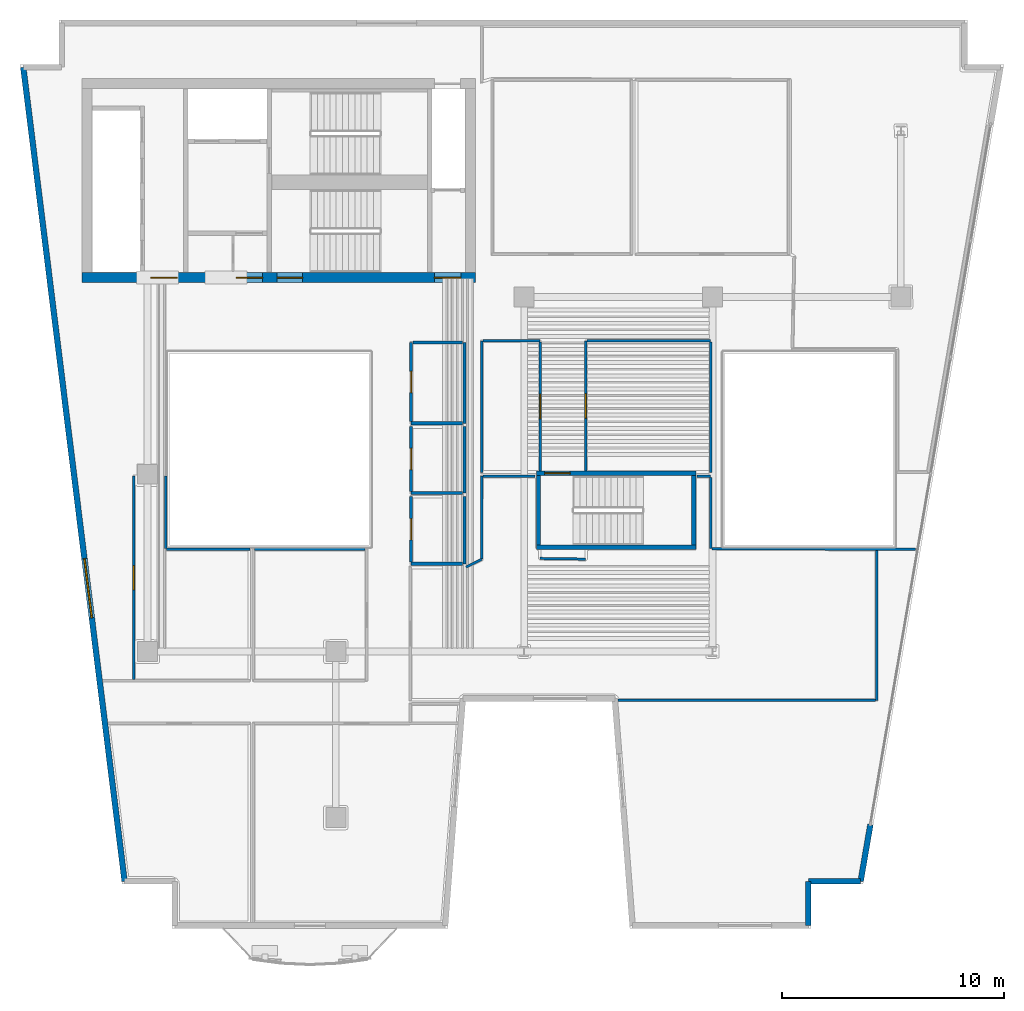
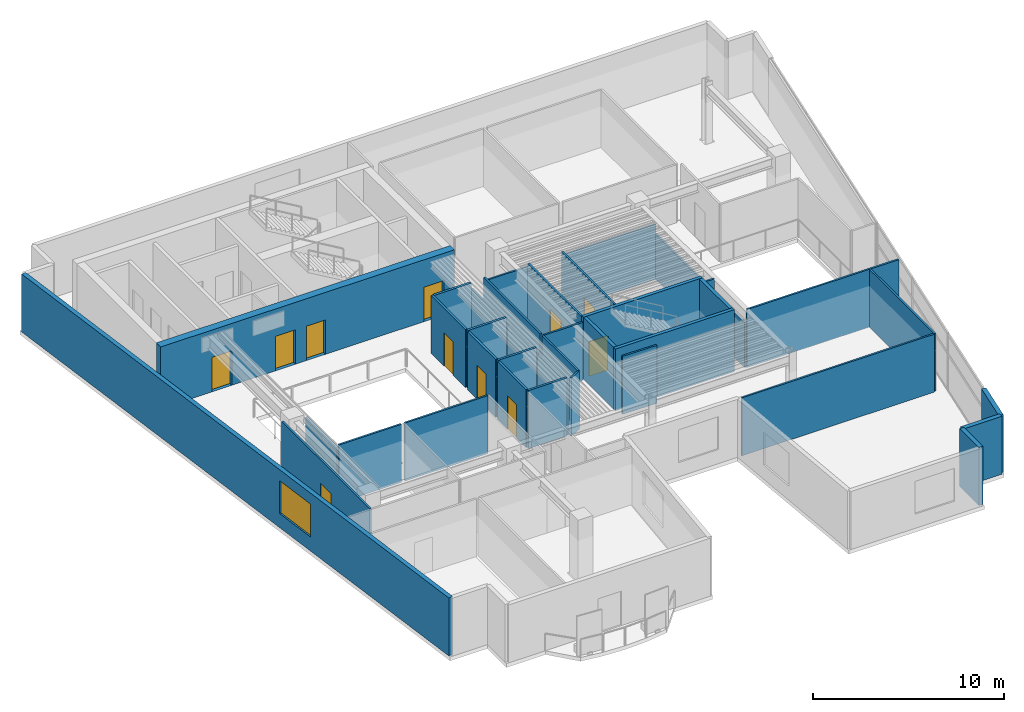
# One storey, part 4 of 9: 38 walls, 11 doors, 1 window, 12 openings.
"""IFC4 building model written with IfcOpenShell, lengths in metres."""

from ifc_helpers import new_model, si_unit, direction, frame, frame_2d, origin, place, context, subcontext, project, spatial, rectangle, extrude, material, layer, layer_set, type_object, element, fill, save


model = new_model("IFC4")

# Units and contexts
model_context = context("Model", 3, precision=1e-05, world=origin(), true_north=direction((0.0, 1.0)))
body_context = subcontext(model_context, "Body", "Model", "MODEL_VIEW")
ifc_project = project(units=[si_unit("LENGTHUNIT", "METRE"), si_unit("AREAUNIT", "SQUARE_METRE"), si_unit("VOLUMEUNIT", "CUBIC_METRE"), si_unit("PLANEANGLEUNIT", "RADIAN"), si_unit("MASSUNIT", "GRAM", prefix="KILO")], contexts=[model_context])

# Site, building, storey
site_placement = place(None, origin())
site = spatial("IfcSite", under=ifc_project, at=site_placement, CompositionType="ELEMENT")
building_placement = place(site_placement, origin())
building = spatial("IfcBuilding", under=site, at=building_placement, Name="Caeloran Harvest Quay", CompositionType="ELEMENT")
storey_placement = place(building_placement, frame((0.0, 0.0, 203.5)))
storey = spatial("IfcBuildingStorey", under=building, at=storey_placement, Name="L48", CompositionType="ELEMENT", Elevation=203.5)

# Wall, opening, window
ifc_material_1 = material(Name="Precast concrete C50/60", Category="concrete")
ifc_layer_1 = layer(ifc_material_1, 0.260009765625, Name="Precast concrete C50/60")
ifc_layer_set_1 = layer_set([ifc_layer_1], Name="Precast concrete C50/60")
wall_type_1 = type_object("IfcWallType", Name="ENV-WALL-EW-260", PredefinedType="STANDARD", material=ifc_layer_set_1)
wall_1_placement = place(storey_placement, frame((7.468994140625, 4.6298828125, 0.0), z_axis=(0.0, 0.0, 1.0), x_axis=(-0.123515300309, 0.992342667928, 0.0)))
wall_1 = element("IfcWall", 1, at=wall_1_placement, inside=storey, type_object=wall_type_1, Name="L48 Exterior Precast Concrete Facade Wall 3", PredefinedType="STANDARD", context=body_context, shape_type="SweptSolid", body=[
    extrude(rectangle(XDim=37.023681640625, YDim=0.260009765625, at=frame_2d((18.51171875, 0.0))), origin(), (0.0, 0.0, 1.0), 3.699951171875),
])
opening_1_placement = place(wall_1_placement, frame((11.97802734375, 0.0, 0.89990234375)))
opening_1 = element("IfcOpeningElement", 2, at=opening_1_placement, cuts=wall_1, Name="Opening W-07", PredefinedType="OPENING", context=body_context, shape_type="SweptSolid", body=[
    extrude(rectangle(XDim=2.699951171875, YDim=2.10009765625, at=frame_2d((1.35009765625, 1.050048828125))), frame((0.0, 0.14013671875, 0.0), z_axis=(0.0, -1.0, 0.0), x_axis=(1.0, 0.0, 0.0)), (0.0, 0.0, 1.0), 0.280029296875),
])
ifc_material_2 = material(Name="Aluminium-Framed Low-E Laminated Glass", Category="aluminium")
window_type = type_object("IfcWindowType", Name="WIN-W-07", PartitioningType="DOUBLE_PANEL_VERTICAL", PredefinedType="WINDOW", material=ifc_material_2)
window_placement = place(opening_1_placement, origin())
window = element("IfcWindow", 3, at=window_placement, inside=storey, type_object=window_type, Name="L48 Facade Punched Window W-07", OverallHeight=2.10009765625, OverallWidth=2.699951171875, PartitioningType="DOUBLE_PANEL_VERTICAL", PredefinedType="WINDOW", context=body_context, shape_type="SweptSolid", body=[
    extrude(rectangle(XDim=2.699951171875, YDim=2.10009765625, at=frame_2d((1.35009765625, 1.050048828125))), frame((0.0, 0.030029296875, 0.0), z_axis=(0.0, -1.0, 0.0), x_axis=(1.0, 0.0, 0.0)), (0.0, 0.0, 1.0), 0.06005859375),
])
fill(opening_1, window)

# Walls
wall_2_placement = place(storey_placement, frame((41.127685546875, 7.1923828125, 0.0), z_axis=(0.0, 0.0, 1.0), x_axis=(-0.169391215599, -0.98554889076, 0.0)))
element("IfcWall", 4, at=wall_2_placement, inside=storey, type_object=wall_type_1, Name="L48 Exterior Facade Corner Pier Wall 9B", PredefinedType="STANDARD", context=body_context, shape_type="SweptSolid", body=[
    extrude(rectangle(XDim=2.60009765625, YDim=0.260009765625, at=frame_2d((1.300048828125, 0.0))), origin(), (0.0, 0.0, 1.0), 3.699951171875),
])
wall_3_placement = place(storey_placement, frame((40.687255859375, 4.6298828125, 0.0), z_axis=(0.0, 0.0, 1.0), x_axis=(-1.0, 0.0, 0.0)))
element("IfcWall", 5, at=wall_3_placement, inside=storey, type_object=wall_type_1, Name="L48 Exterior Precast Concrete Facade Wall 10", PredefinedType="STANDARD", context=body_context, shape_type="SweptSolid", body=[
    extrude(rectangle(XDim=2.3642578125, YDim=0.260009765625, at=frame_2d((1.18212890625, 0.0))), origin(), (0.0, 0.0, 1.0), 3.699951171875),
])
wall_4_placement = place(storey_placement, frame((38.322998046875, 4.6298828125, 0.0), z_axis=(0.0, 0.0, 1.0), x_axis=(0.0, -1.0, 0.0)))
element("IfcWall", 6, at=wall_4_placement, inside=storey, type_object=wall_type_1, Name="L48 Exterior Precast Concrete Facade Wall 11", PredefinedType="STANDARD", context=body_context, shape_type="SweptSolid", body=[
    extrude(rectangle(XDim=2.0, YDim=0.260009765625, at=frame_2d((1.0, 0.0))), origin(), (0.0, 0.0, 1.0), 3.699951171875),
])
ifc_material_3 = material(Name="Single-Stud Acoustic Gypsum Office Partition", Category="gypsum")
ifc_layer_2 = layer(ifc_material_3, 0.112060546875, Name="Single-Stud Acoustic Gypsum Office Partition")
ifc_layer_set_2 = layer_set([ifc_layer_2], Name="Single-Stud Acoustic Gypsum Office Partition")
wall_type_2 = type_object("IfcWallType", Name="INT-WALL-PW-112", PredefinedType="PARTITIONING", material=ifc_layer_set_2)
wall_5_placement = place(storey_placement, frame((33.310791015625, 22.919921875, 0.0), z_axis=(0.0, 0.0, 1.0), x_axis=(1.0, 0.0, 0.0)))
element("IfcWall", 7, at=wall_5_placement, inside=storey, type_object=wall_type_2, Name="Corporate Legal Counsel Office Partition Wall", PredefinedType="PARTITIONING", context=body_context, shape_type="SweptSolid", body=[
    extrude(rectangle(XDim=0.609130859375, YDim=0.112060546875, at=frame_2d((0.3046875, 0.0))), origin(), (0.0, 0.0, 1.0), 3.699951171875),
])
wall_6_placement = place(storey_placement, frame((33.919921875, 22.85888671875, 0.0), z_axis=(0.0, 0.0, 1.0), x_axis=(0.0, -1.0, 0.0)))
element("IfcWall", 8, at=wall_6_placement, inside=storey, type_object=wall_type_2, Name="Corporate Legal Counsel Office Partition Wall", PredefinedType="PARTITIONING", context=body_context, shape_type="SweptSolid", body=[
    extrude(rectangle(XDim=3.218994140625, YDim=0.112060546875, at=frame_2d((1.609375, 0.0))), origin(), (0.0, 0.0, 1.0), 2.885009765625),
])
wall_7_placement = place(storey_placement, frame((33.98095703125, 19.639892578125, 0.0), z_axis=(0.0, 0.0, 1.0), x_axis=(0.999996388808, -0.002687447056, 0.0)))
element("IfcWall", 9, at=wall_7_placement, inside=storey, type_object=wall_type_2, Name="Corporate Legal Counsel Office Partition Wall", PredefinedType="PARTITIONING", context=body_context, shape_type="SweptSolid", body=[
    extrude(rectangle(XDim=9.17529296875, YDim=0.112060546875, at=frame_2d((4.587646484375, 0.0))), origin(), (0.0, 0.0, 1.0), 3.699951171875),
])
wall_8_placement = place(storey_placement, frame((41.419921875, 19.558837890625, 0.0), z_axis=(0.0, 0.0, 1.0), x_axis=(0.0, -1.0, 0.0)))
element("IfcWall", 10, at=wall_8_placement, inside=storey, type_object=wall_type_2, Name="Corporate Legal Counsel Office Partition Wall", PredefinedType="PARTITIONING", context=body_context, shape_type="SweptSolid", body=[
    extrude(rectangle(XDim=6.7587890625, YDim=0.112060546875, at=frame_2d((3.37939453125, 0.0))), origin(), (0.0, 0.0, 1.0), 3.699951171875),
])
wall_9_placement = place(storey_placement, frame((41.35888671875, 12.800048828125, 0.0), z_axis=(0.0, 0.0, 1.0), x_axis=(-1.0, 0.0, 0.0)))
element("IfcWall", 11, at=wall_9_placement, inside=storey, type_object=wall_type_2, Name="Corporate Legal Counsel Office Partition Wall", PredefinedType="PARTITIONING", context=body_context, shape_type="SweptSolid", body=[
    extrude(rectangle(XDim=11.62744140625, YDim=0.112060546875, at=frame_2d((5.813720703125, 0.0))), origin(), (0.0, 0.0, 1.0), 3.699951171875),
])
wall_10_placement = place(storey_placement, frame((22.883056640625, 18.81005859375, 0.0), z_axis=(0.0, 0.0, 1.0), x_axis=(0.893737436086, 0.448590453909, 0.0)))
element("IfcWall", 12, at=wall_10_placement, inside=storey, type_object=wall_type_2, Name="Corporate Legal Counsel Office Partition Wall", PredefinedType="PARTITIONING", context=body_context, shape_type="SweptSolid", body=[
    extrude(rectangle(XDim=0.77978515625, YDim=0.112060546875, at=frame_2d((0.389892578125, 0.0))), origin(), (0.0, 0.0, 1.0), 3.699951171875),
])
wall_11_placement = place(storey_placement, frame((23.580078125, 19.171142578125, 0.0), z_axis=(0.0, 0.0, 1.0), x_axis=(0.0, 1.0, 0.0)))
element("IfcWall", 13, at=wall_11_placement, inside=storey, type_object=wall_type_2, Name="Corporate Legal Counsel Office Partition Wall", PredefinedType="PARTITIONING", context=body_context, shape_type="SweptSolid", body=[
    extrude(rectangle(XDim=3.748779296875, YDim=0.112060546875, at=frame_2d((1.87451171875, 0.0))), origin(), (0.0, 0.0, 1.0), 3.699951171875),
])
wall_12_placement = place(storey_placement, frame((23.64111328125, 22.919921875, 0.0), z_axis=(0.0, 0.0, 1.0), x_axis=(1.0, 0.0, 0.0)))
element("IfcWall", 14, at=wall_12_placement, inside=storey, type_object=wall_type_2, Name="Corporate Legal Counsel Office Partition Wall", PredefinedType="PARTITIONING", context=body_context, shape_type="SweptSolid", body=[
    extrude(rectangle(XDim=2.347900390625, YDim=0.112060546875, at=frame_2d((1.173828125, 0.0))), origin(), (0.0, 0.0, 1.0), 3.699951171875),
])
wall_13_placement = place(storey_placement, frame((26.219970703125, 19.199951171875, 0.0), z_axis=(0.0, 0.0, 1.0), x_axis=(0.999893773718, -0.014575365509, 0.0)))
element("IfcWall", 15, at=wall_13_placement, inside=storey, type_object=wall_type_2, Name="Corporate Legal Counsel Office Partition Wall", PredefinedType="PARTITIONING", context=body_context, shape_type="SweptSolid", body=[
    extrude(rectangle(XDim=2.060302734375, YDim=0.112060546875, at=frame_2d((1.0302734375, 0.0))), origin(), (0.0, 0.0, 1.0), 3.699951171875),
])
wall_14_placement = place(storey_placement, frame((13.341064453125, 19.6201171875, 0.0), z_axis=(0.0, 0.0, 1.0), x_axis=(1.0, 0.0, 0.0)))
element("IfcWall", 16, at=wall_14_placement, inside=storey, type_object=wall_type_2, Name="Executive Partner Office Partition Wall", PredefinedType="PARTITIONING", context=body_context, shape_type="SweptSolid", body=[
    extrude(rectangle(XDim=4.988037109375, YDim=0.112060546875, at=frame_2d((2.494140625, 0.0))), origin(), (0.0, 0.0, 1.0), 3.699951171875),
])
wall_15_placement = place(storey_placement, frame((9.35009765625, 19.6201171875, 0.0), z_axis=(0.0, 0.0, 1.0), x_axis=(1.0, 0.0, 0.0)))
element("IfcWall", 17, at=wall_15_placement, inside=storey, type_object=wall_type_2, Name="Client Pitch Conference Room Partition Wall", PredefinedType="PARTITIONING", context=body_context, shape_type="SweptSolid", body=[
    extrude(rectangle(XDim=3.77001953125, YDim=0.112060546875, at=frame_2d((1.885009765625, 0.0))), origin(), (0.0, 0.0, 1.0), 3.699951171875),
])

# Wall, opening, door
wall_16_placement = place(storey_placement, frame((7.8798828125, 13.740966796875, 0.0), z_axis=(0.0, 0.0, 1.0), x_axis=(0.0, 1.0, 0.0)))
wall_16 = element("IfcWall", 18, at=wall_16_placement, inside=storey, type_object=wall_type_2, Name="Client Pitch Conference Room Partition Wall", PredefinedType="PARTITIONING", context=body_context, shape_type="SweptSolid", body=[
    extrude(rectangle(XDim=9.178955078125, YDim=0.112060546875, at=frame_2d((4.58935546875, 0.0))), origin(), (0.0, 0.0, 1.0), 3.699951171875),
])
opening_2_placement = place(wall_16_placement, frame((4.03955078125, 0.0, 0.0)))
opening_2 = element("IfcOpeningElement", 19, at=opening_2_placement, cuts=wall_16, Name="Opening ID-04", PredefinedType="OPENING", context=body_context, shape_type="SweptSolid", body=[
    extrude(rectangle(XDim=1.10009765625, YDim=2.199951171875, at=frame_2d((0.550048828125, 1.10009765625))), frame((0.0, 0.06591796875, 0.0), z_axis=(0.0, -1.0, 0.0), x_axis=(1.0, 0.0, 0.0)), (0.0, 0.0, 1.0), 0.132080078125),
])
ifc_material_4 = material(Name="Acoustic Walnut Veneer Executive Door", Category="wood")
door_type_1 = type_object("IfcDoorType", Name="INTDOOR-ID-04", OperationType="NOTDEFINED", PredefinedType="DOOR", material=ifc_material_4)
door_1_placement = place(opening_2_placement, origin())
door_1 = element("IfcDoor", 20, at=door_1_placement, inside=storey, type_object=door_type_1, Name="Client Pitch Conference Room Access Door", OperationType="SINGLE_SWING_RIGHT", OverallHeight=2.199951171875, OverallWidth=1.10009765625, PredefinedType="DOOR", context=body_context, shape_type="SweptSolid", body=[
    extrude(rectangle(XDim=1.10009765625, YDim=2.199951171875, at=frame_2d((0.550048828125, 1.10009765625))), frame((0.0, 0.02490234375, 0.0), z_axis=(0.0, -1.0, 0.0), x_axis=(1.0, 0.0, 0.0)), (0.0, 0.0, 1.0), 0.050048828125),
])
fill(opening_2, door_1)

# Walls
wall_17_placement = place(storey_placement, frame((9.320068359375, 22.919921875, 0.0), z_axis=(0.0, 0.0, 1.0), x_axis=(0.0, -1.0, 0.0)))
element("IfcWall", 21, at=wall_17_placement, inside=storey, type_object=wall_type_2, Name="Client Pitch Conference Room Partition Wall", PredefinedType="PARTITIONING", context=body_context, shape_type="SweptSolid", body=[
    extrude(rectangle(XDim=3.27001953125, YDim=0.112060546875, at=frame_2d((1.635009765625, 0.0))), origin(), (0.0, 0.0, 1.0), 3.485107421875),
])
wall_18_placement = place(storey_placement, frame((23.580078125, 23.080078125, 0.0), z_axis=(0.0, 0.0, 1.0), x_axis=(0.0, 1.0, 0.0)))
element("IfcWall", 22, at=wall_18_placement, inside=storey, type_object=wall_type_2, Name="Interview Meeting Room Partition Wall", PredefinedType="PARTITIONING", context=body_context, shape_type="SweptSolid", body=[
    extrude(rectangle(XDim=5.93994140625, YDim=0.112060546875, at=frame_2d((2.969970703125, 0.0))), origin(), (0.0, 0.0, 1.0), 3.699951171875),
])
wall_19_placement = place(storey_placement, frame((23.64111328125, 29.02001953125, 0.0), z_axis=(0.0, 0.0, 1.0), x_axis=(1.0, 0.0, 0.0)))
element("IfcWall", 23, at=wall_19_placement, inside=storey, type_object=wall_type_2, Name="Interview Meeting Room Partition Wall", PredefinedType="PARTITIONING", context=body_context, shape_type="SweptSolid", body=[
    extrude(rectangle(XDim=2.578857421875, YDim=0.112060546875, at=frame_2d((1.28955078125, 0.0))), origin(), (0.0, 0.0, 1.0), 3.485107421875),
])

# Wall, opening, door
wall_20_placement = place(storey_placement, frame((26.219970703125, 28.958984375, 0.0), z_axis=(0.0, 0.0, 1.0), x_axis=(0.0, -1.0, 0.0)))
wall_20 = element("IfcWall", 24, at=wall_20_placement, inside=storey, type_object=wall_type_2, Name="Interview Meeting Room Partition Wall", PredefinedType="PARTITIONING", context=body_context, shape_type="SweptSolid", body=[
    extrude(rectangle(XDim=5.803955078125, YDim=0.112060546875, at=frame_2d((2.90185546875, 0.0))), origin(), (0.0, 0.0, 1.0), 3.699951171875),
])
opening_3_placement = place(wall_20_placement, frame((2.35205078125, 0.0, 0.0)))
opening_3 = element("IfcOpeningElement", 25, at=opening_3_placement, cuts=wall_20, Name="Opening ID-04", PredefinedType="OPENING", context=body_context, shape_type="SweptSolid", body=[
    extrude(rectangle(XDim=1.10009765625, YDim=2.199951171875, at=frame_2d((0.550048828125, 1.10009765625))), frame((0.0, 0.06591796875, 0.0), z_axis=(0.0, -1.0, 0.0), x_axis=(1.0, 0.0, 0.0)), (0.0, 0.0, 1.0), 0.132080078125),
])
door_2_placement = place(opening_3_placement, origin())
door_2 = element("IfcDoor", 26, at=door_2_placement, inside=storey, type_object=door_type_1, Name="Interview Meeting Room Access Door", OperationType="SINGLE_SWING_LEFT", OverallHeight=2.199951171875, OverallWidth=1.10009765625, PredefinedType="DOOR", context=body_context, shape_type="SweptSolid", body=[
    extrude(rectangle(XDim=1.10009765625, YDim=2.199951171875, at=frame_2d((0.550048828125, 1.10009765625))), frame((0.0, 0.02490234375, 0.0), z_axis=(0.0, -1.0, 0.0), x_axis=(1.0, 0.0, 0.0)), (0.0, 0.0, 1.0), 0.050048828125),
])
fill(opening_3, door_2)

wall_21_placement = place(storey_placement, frame((28.280029296875, 23.155029296875, 0.0), z_axis=(0.0, 0.0, 1.0), x_axis=(0.0, 1.0, 0.0)))
wall_21 = element("IfcWall", 27, at=wall_21_placement, inside=storey, type_object=wall_type_2, Name="Staff Tea Kitchen Partition Wall", PredefinedType="PARTITIONING", context=body_context, shape_type="SweptSolid", body=[
    extrude(rectangle(XDim=5.864990234375, YDim=0.112060546875, at=frame_2d((2.9326171875, 0.0))), origin(), (0.0, 0.0, 1.0), 3.699951171875),
])
opening_4_placement = place(wall_21_placement, frame((2.382568359375, 0.0, 0.0)))
opening_4 = element("IfcOpeningElement", 28, at=opening_4_placement, cuts=wall_21, Name="Opening ID-04", PredefinedType="OPENING", context=body_context, shape_type="SweptSolid", body=[
    extrude(rectangle(XDim=1.10009765625, YDim=2.199951171875, at=frame_2d((0.550048828125, 1.10009765625))), frame((0.0, 0.06591796875, 0.0), z_axis=(0.0, -1.0, 0.0), x_axis=(1.0, 0.0, 0.0)), (0.0, 0.0, 1.0), 0.132080078125),
])
door_3_placement = place(opening_4_placement, origin())
door_3 = element("IfcDoor", 29, at=door_3_placement, inside=storey, type_object=door_type_1, Name="Staff Tea Kitchen Access Door", OperationType="SINGLE_SWING_RIGHT", OverallHeight=2.199951171875, OverallWidth=1.10009765625, PredefinedType="DOOR", context=body_context, shape_type="SweptSolid", body=[
    extrude(rectangle(XDim=1.10009765625, YDim=2.199951171875, at=frame_2d((0.550048828125, 1.10009765625))), frame((0.0, 0.02490234375, 0.0), z_axis=(0.0, -1.0, 0.0), x_axis=(1.0, 0.0, 0.0)), (0.0, 0.0, 1.0), 0.050048828125),
])
fill(opening_4, door_3)

# Walls
wall_22_placement = place(storey_placement, frame((28.341064453125, 29.02001953125, 0.0), z_axis=(0.0, 0.0, 1.0), x_axis=(1.0, 0.0, 0.0)))
element("IfcWall", 30, at=wall_22_placement, inside=storey, type_object=wall_type_2, Name="Staff Tea Kitchen Partition Wall", PredefinedType="PARTITIONING", context=body_context, shape_type="SweptSolid", body=[
    extrude(rectangle(XDim=5.578857421875, YDim=0.112060546875, at=frame_2d((2.78955078125, 0.0))), origin(), (0.0, 0.0, 1.0), 3.485107421875),
])
wall_23_placement = place(storey_placement, frame((33.919921875, 28.958984375, 0.0), z_axis=(0.0, 0.0, 1.0), x_axis=(0.0, -1.0, 0.0)))
element("IfcWall", 31, at=wall_23_placement, inside=storey, type_object=wall_type_2, Name="Staff Tea Kitchen Partition Wall", PredefinedType="PARTITIONING", context=body_context, shape_type="SweptSolid", body=[
    extrude(rectangle(XDim=5.87890625, YDim=0.112060546875, at=frame_2d((2.939453125, 0.0))), origin(), (0.0, 0.0, 1.0), 2.885009765625),
])
ifc_material_5 = material(Name="Moisture-Resistant Cement-Board Sanitary Partition", Category="gypsum")
ifc_layer_3 = layer(ifc_material_5, 0.139892578125, Name="Moisture-Resistant Cement-Board Sanitary Partition")
ifc_layer_set_3 = layer_set([ifc_layer_3], Name="Moisture-Resistant Cement-Board Sanitary Partition")
wall_type_3 = type_object("IfcWallType", Name="INT-WALL-PW-140", PredefinedType="PARTITIONING", material=ifc_layer_set_3)
wall_24_placement = place(storey_placement, frame((22.800048828125, 28.949951171875, 0.0), z_axis=(0.0, 0.0, 1.0), x_axis=(0.0, -1.0, 0.0)))
element("IfcWall", 32, at=wall_24_placement, inside=storey, type_object=wall_type_3, Name="L48 Male Washroom WC Partition Wall", PredefinedType="PARTITIONING", context=body_context, shape_type="SweptSolid", body=[
    extrude(rectangle(XDim=3.64990234375, YDim=0.139892578125, at=frame_2d((1.824951171875, 0.0))), origin(), (0.0, 0.0, 1.0), 3.284912109375),
])
wall_25_placement = place(storey_placement, frame((22.72509765625, 25.300048828125, 0.0), z_axis=(0.0, 0.0, 1.0), x_axis=(-1.0, 0.0, 0.0)))
element("IfcWall", 33, at=wall_25_placement, inside=storey, type_object=wall_type_3, Name="L48 Male Washroom WC Partition Wall", PredefinedType="PARTITIONING", context=body_context, shape_type="SweptSolid", body=[
    extrude(rectangle(XDim=2.3251953125, YDim=0.139892578125, at=frame_2d((1.16259765625, 0.0))), origin(), (0.0, 0.0, 1.0), 3.699951171875),
])

# Wall, opening, door
wall_26_placement = place(storey_placement, frame((20.39990234375, 25.375, 0.0), z_axis=(0.0, 0.0, 1.0), x_axis=(0.0, 1.0, 0.0)))
wall_26 = element("IfcWall", 34, at=wall_26_placement, inside=storey, type_object=wall_type_3, Name="L48 Male Washroom WC Partition Wall", PredefinedType="PARTITIONING", context=body_context, shape_type="SweptSolid", body=[
    extrude(rectangle(XDim=3.574951171875, YDim=0.139892578125, at=frame_2d((1.78759765625, 0.0))), origin(), (0.0, 0.0, 1.0), 3.699951171875),
])
opening_5_placement = place(wall_26_placement, frame((1.3125, 0.0, 0.0)))
opening_5 = element("IfcOpeningElement", 35, at=opening_5_placement, cuts=wall_26, Name="Opening WC-01", PredefinedType="OPENING", context=body_context, shape_type="SweptSolid", body=[
    extrude(rectangle(XDim=0.949951171875, YDim=2.14990234375, at=frame_2d((0.47509765625, 1.074951171875))), frame((0.0, 0.080078125, 0.0), z_axis=(0.0, -1.0, 0.0), x_axis=(1.0, 0.0, 0.0)), (0.0, 0.0, 1.0), 0.159912109375),
])
ifc_material_6 = material(Name="High-Pressure Laminate Moisture-Resistant Timber", Category="wood")
door_type_2 = type_object("IfcDoorType", Name="INTDOOR-WC-01", OperationType="NOTDEFINED", PredefinedType="DOOR", material=ifc_material_6)
door_4_placement = place(opening_5_placement, origin())
door_4 = element("IfcDoor", 36, at=door_4_placement, inside=storey, type_object=door_type_2, Name="L48 Male Washroom WC Access Door", OperationType="SINGLE_SWING_LEFT", OverallHeight=2.14990234375, OverallWidth=0.949951171875, PredefinedType="DOOR", context=body_context, shape_type="SweptSolid", body=[
    extrude(rectangle(XDim=0.949951171875, YDim=2.14990234375, at=frame_2d((0.47509765625, 1.074951171875))), frame((0.0, 0.02490234375, 0.0), z_axis=(0.0, -1.0, 0.0), x_axis=(1.0, 0.0, 0.0)), (0.0, 0.0, 1.0), 0.050048828125),
])
fill(opening_5, door_4)

# Walls
wall_27_placement = place(storey_placement, frame((20.47509765625, 28.949951171875, 0.0), z_axis=(0.0, 0.0, 1.0), x_axis=(1.0, 0.0, 0.0)))
element("IfcWall", 37, at=wall_27_placement, inside=storey, type_object=wall_type_3, Name="L48 Male Washroom WC Partition Wall", PredefinedType="PARTITIONING", context=body_context, shape_type="SweptSolid", body=[
    extrude(rectangle(XDim=2.25, YDim=0.139892578125, at=frame_2d((1.125, 0.0))), origin(), (0.0, 0.0, 1.0), 3.699951171875),
])
wall_28_placement = place(storey_placement, frame((22.800048828125, 25.14990234375, 0.0), z_axis=(0.0, 0.0, 1.0), x_axis=(0.0, -1.0, 0.0)))
element("IfcWall", 38, at=wall_28_placement, inside=storey, type_object=wall_type_3, Name="L48 Female Washroom WC Partition Wall", PredefinedType="PARTITIONING", context=body_context, shape_type="SweptSolid", body=[
    extrude(rectangle(XDim=3.0, YDim=0.139892578125, at=frame_2d((1.5, 0.0))), origin(), (0.0, 0.0, 1.0), 3.284912109375),
])
wall_29_placement = place(storey_placement, frame((22.72509765625, 22.14990234375, 0.0), z_axis=(0.0, 0.0, 1.0), x_axis=(-1.0, 0.0, 0.0)))
element("IfcWall", 39, at=wall_29_placement, inside=storey, type_object=wall_type_3, Name="L48 Female Washroom WC Partition Wall", PredefinedType="PARTITIONING", context=body_context, shape_type="SweptSolid", body=[
    extrude(rectangle(XDim=2.3251953125, YDim=0.139892578125, at=frame_2d((1.16259765625, 0.0))), origin(), (0.0, 0.0, 1.0), 3.699951171875),
])

# Wall, opening, door
wall_30_placement = place(storey_placement, frame((20.39990234375, 22.22509765625, 0.0), z_axis=(0.0, 0.0, 1.0), x_axis=(0.0, 1.0, 0.0)))
wall_30 = element("IfcWall", 40, at=wall_30_placement, inside=storey, type_object=wall_type_3, Name="L48 Female Washroom WC Partition Wall", PredefinedType="PARTITIONING", context=body_context, shape_type="SweptSolid", body=[
    extrude(rectangle(XDim=2.9248046875, YDim=0.139892578125, at=frame_2d((1.46240234375, 0.0))), origin(), (0.0, 0.0, 1.0), 3.699951171875),
])
opening_6_placement = place(wall_30_placement, frame((0.987548828125, 0.0, 0.0)))
opening_6 = element("IfcOpeningElement", 41, at=opening_6_placement, cuts=wall_30, Name="Opening WC-01", PredefinedType="OPENING", context=body_context, shape_type="SweptSolid", body=[
    extrude(rectangle(XDim=0.949951171875, YDim=2.14990234375, at=frame_2d((0.47509765625, 1.074951171875))), frame((0.0, 0.080078125, 0.0), z_axis=(0.0, -1.0, 0.0), x_axis=(1.0, 0.0, 0.0)), (0.0, 0.0, 1.0), 0.159912109375),
])
door_5_placement = place(opening_6_placement, origin())
door_5 = element("IfcDoor", 42, at=door_5_placement, inside=storey, type_object=door_type_2, Name="L48 Female Washroom WC Access Door", OperationType="SINGLE_SWING_RIGHT", OverallHeight=2.14990234375, OverallWidth=0.949951171875, PredefinedType="DOOR", context=body_context, shape_type="SweptSolid", body=[
    extrude(rectangle(XDim=0.949951171875, YDim=2.14990234375, at=frame_2d((0.47509765625, 1.074951171875))), frame((0.0, 0.02490234375, 0.0), z_axis=(0.0, -1.0, 0.0), x_axis=(1.0, 0.0, 0.0)), (0.0, 0.0, 1.0), 0.050048828125),
])
fill(opening_6, door_5)

# Walls
wall_31_placement = place(storey_placement, frame((22.800048828125, 22.0, 0.0), z_axis=(0.0, 0.0, 1.0), x_axis=(0.0, -1.0, 0.0)))
element("IfcWall", 43, at=wall_31_placement, inside=storey, type_object=wall_type_3, Name="L48 Accessible Unisex Washroom WC Partition Wall", PredefinedType="PARTITIONING", context=body_context, shape_type="SweptSolid", body=[
    extrude(rectangle(XDim=3.0400390625, YDim=0.139892578125, at=frame_2d((1.52001953125, 0.0))), origin(), (0.0, 0.0, 1.0), 3.284912109375),
])
wall_32_placement = place(storey_placement, frame((22.72509765625, 18.9599609375, 0.0), z_axis=(0.0, 0.0, 1.0), x_axis=(-1.0, 0.0, 0.0)))
element("IfcWall", 44, at=wall_32_placement, inside=storey, type_object=wall_type_3, Name="L48 Accessible Unisex Washroom WC Partition Wall", PredefinedType="PARTITIONING", context=body_context, shape_type="SweptSolid", body=[
    extrude(rectangle(XDim=2.3251953125, YDim=0.139892578125, at=frame_2d((1.16259765625, 0.0))), origin(), (0.0, 0.0, 1.0), 3.699951171875),
])

# Wall, opening, door
wall_33_placement = place(storey_placement, frame((20.39990234375, 19.034912109375, 0.0), z_axis=(0.0, 0.0, 1.0), x_axis=(0.0, 1.0, 0.0)))
wall_33 = element("IfcWall", 45, at=wall_33_placement, inside=storey, type_object=wall_type_3, Name="L48 Accessible Unisex Washroom WC Partition Wall", PredefinedType="PARTITIONING", context=body_context, shape_type="SweptSolid", body=[
    extrude(rectangle(XDim=2.965087890625, YDim=0.139892578125, at=frame_2d((1.482421875, 0.0))), origin(), (0.0, 0.0, 1.0), 3.699951171875),
])
opening_7_placement = place(wall_33_placement, frame((1.007568359375, 0.0, 0.0)))
opening_7 = element("IfcOpeningElement", 46, at=opening_7_placement, cuts=wall_33, Name="Opening WC-01", PredefinedType="OPENING", context=body_context, shape_type="SweptSolid", body=[
    extrude(rectangle(XDim=0.949951171875, YDim=2.14990234375, at=frame_2d((0.47509765625, 1.074951171875))), frame((0.0, 0.080078125, 0.0), z_axis=(0.0, -1.0, 0.0), x_axis=(1.0, 0.0, 0.0)), (0.0, 0.0, 1.0), 0.159912109375),
])
door_6_placement = place(opening_7_placement, origin())
door_6 = element("IfcDoor", 47, at=door_6_placement, inside=storey, type_object=door_type_2, Name="L48 Accessible Unisex Washroom WC Access Door", OperationType="SINGLE_SWING_LEFT", OverallHeight=2.14990234375, OverallWidth=0.949951171875, PredefinedType="DOOR", context=body_context, shape_type="SweptSolid", body=[
    extrude(rectangle(XDim=0.949951171875, YDim=2.14990234375, at=frame_2d((0.47509765625, 1.074951171875))), frame((0.0, 0.02490234375, 0.0), z_axis=(0.0, -1.0, 0.0), x_axis=(1.0, 0.0, 0.0)), (0.0, 0.0, 1.0), 0.050048828125),
])
fill(opening_7, door_6)

# Wall, openings, doors
ifc_material_7 = material(Name="Concrete C60/75", Category="concrete")
ifc_layer_4 = layer(ifc_material_7, 0.449951171875, Name="Concrete C60/75")
ifc_layer_set_4 = layer_set([ifc_layer_4], Name="Concrete C60/75")
wall_type_4 = type_object("IfcWallType", Name="STR-WALL-CW-450", PredefinedType="SHEAR", material=ifc_layer_set_4)
wall_34_placement = place(storey_placement, frame((5.550048828125, 31.875, 0.0), z_axis=(0.0, 0.0, 1.0), x_axis=(1.0, 0.0, 0.0)))
wall_34 = element("IfcWall", 48, at=wall_34_placement, inside=storey, type_object=wall_type_4, Name="L48 Rear Core Shear Wall S", PredefinedType="SHEAR", context=body_context, shape_type="SweptSolid", body=[
    extrude(rectangle(XDim=17.75, YDim=0.449951171875, at=frame_2d((8.875, 0.0))), origin(), (0.0, 0.0, 1.0), 3.949951171875),
])
opening_8_placement = place(wall_34_placement, frame((3.10009765625, 0.0, 0.0)))
opening_8 = element("IfcOpeningElement", 49, at=opening_8_placement, cuts=wall_34, Name="Opening FD-01", PredefinedType="OPENING", context=body_context, shape_type="SweptSolid", body=[
    extrude(rectangle(XDim=1.199951171875, YDim=2.199951171875, at=frame_2d((0.60009765625, 1.10009765625))), frame((0.0, 0.23486328125, 0.0), z_axis=(0.0, -1.0, 0.0), x_axis=(1.0, 0.0, 0.0)), (0.0, 0.0, 1.0), 0.469970703125),
])
opening_9_placement = place(wall_34_placement, frame((6.949951171875, 0.0, 0.0)))
opening_9 = element("IfcOpeningElement", 50, at=opening_9_placement, cuts=wall_34, Name="Opening FD-01", PredefinedType="OPENING", context=body_context, shape_type="SweptSolid", body=[
    extrude(rectangle(XDim=1.199951171875, YDim=2.199951171875, at=frame_2d((0.60009765625, 1.10009765625))), frame((0.0, 0.23486328125, 0.0), z_axis=(0.0, -1.0, 0.0), x_axis=(1.0, 0.0, 0.0)), (0.0, 0.0, 1.0), 0.469970703125),
])
opening_10_placement = place(wall_34_placement, frame((8.800048828125, 0.0, 0.0)))
opening_10 = element("IfcOpeningElement", 51, at=opening_10_placement, cuts=wall_34, Name="Opening SD-01", PredefinedType="OPENING", context=body_context, shape_type="SweptSolid", body=[
    extrude(rectangle(XDim=1.14990234375, YDim=2.199951171875, at=frame_2d((0.574951171875, 1.10009765625))), frame((0.0, 0.23486328125, 0.0), z_axis=(0.0, -1.0, 0.0), x_axis=(1.0, 0.0, 0.0)), (0.0, 0.0, 1.0), 0.469970703125),
])
opening_11_placement = place(wall_34_placement, frame((15.89990234375, 0.0, 0.0)))
opening_11 = element("IfcOpeningElement", 52, at=opening_11_placement, cuts=wall_34, Name="Opening FD-01", PredefinedType="OPENING", context=body_context, shape_type="SweptSolid", body=[
    extrude(rectangle(XDim=1.199951171875, YDim=2.199951171875, at=frame_2d((0.60009765625, 1.10009765625))), frame((0.0, 0.23486328125, 0.0), z_axis=(0.0, -1.0, 0.0), x_axis=(1.0, 0.0, 0.0)), (0.0, 0.0, 1.0), 0.469970703125),
])
ifc_material_8 = material(Name="Steel", Category="steel")
door_type_3 = type_object("IfcDoorType", Name="INTDOOR-FD-01", OperationType="NOTDEFINED", PredefinedType="DOOR", material=ifc_material_8)
door_7_placement = place(opening_8_placement, origin())
door_7 = element("IfcDoor", 53, at=door_7_placement, inside=storey, type_object=door_type_3, Name="L48 High-Rise Lift Lobby Fire Door", OperationType="SINGLE_SWING_LEFT", OverallHeight=2.199951171875, OverallWidth=1.199951171875, PredefinedType="DOOR", context=body_context, shape_type="SweptSolid", body=[
    extrude(rectangle(XDim=1.199951171875, YDim=2.199951171875, at=frame_2d((0.60009765625, 1.10009765625))), frame((0.0, 0.02490234375, 0.0), z_axis=(0.0, -1.0, 0.0), x_axis=(1.0, 0.0, 0.0)), (0.0, 0.0, 1.0), 0.050048828125),
])
fill(opening_8, door_7)
door_8_placement = place(opening_9_placement, origin())
door_8 = element("IfcDoor", 54, at=door_8_placement, inside=storey, type_object=door_type_3, Name="L48 Firefighting Lobby Vestibule Fire Door", OperationType="SINGLE_SWING_RIGHT", OverallHeight=2.199951171875, OverallWidth=1.199951171875, PredefinedType="DOOR", context=body_context, shape_type="SweptSolid", body=[
    extrude(rectangle(XDim=1.199951171875, YDim=2.199951171875, at=frame_2d((0.60009765625, 1.10009765625))), frame((0.0, 0.02490234375, 0.0), z_axis=(0.0, -1.0, 0.0), x_axis=(1.0, 0.0, 0.0)), (0.0, 0.0, 1.0), 0.050048828125),
])
fill(opening_9, door_8)
door_9_placement = place(opening_11_placement, origin())
door_9 = element("IfcDoor", 55, at=door_9_placement, inside=storey, type_object=door_type_3, Name="L48 Service Lift Lobby Fire Door", OperationType="SINGLE_SWING_RIGHT", OverallHeight=2.199951171875, OverallWidth=1.199951171875, PredefinedType="DOOR", context=body_context, shape_type="SweptSolid", body=[
    extrude(rectangle(XDim=1.199951171875, YDim=2.199951171875, at=frame_2d((0.60009765625, 1.10009765625))), frame((0.0, 0.02490234375, 0.0), z_axis=(0.0, -1.0, 0.0), x_axis=(1.0, 0.0, 0.0)), (0.0, 0.0, 1.0), 0.050048828125),
])
fill(opening_11, door_9)
door_type_4 = type_object("IfcDoorType", Name="INTDOOR-SD-01", OperationType="NOTDEFINED", PredefinedType="DOOR", material=ifc_material_8)
door_10_placement = place(opening_10_placement, origin())
door_10 = element("IfcDoor", 56, at=door_10_placement, inside=storey, type_object=door_type_4, Name="L48 Protected Stair ST-C2 Exit Door", OperationType="SINGLE_SWING_LEFT", OverallHeight=2.199951171875, OverallWidth=1.14990234375, PredefinedType="DOOR", context=body_context, shape_type="SweptSolid", body=[
    extrude(rectangle(XDim=1.14990234375, YDim=2.199951171875, at=frame_2d((0.574951171875, 1.10009765625))), frame((0.0, 0.02490234375, 0.0), z_axis=(0.0, -1.0, 0.0), x_axis=(1.0, 0.0, 0.0)), (0.0, 0.0, 1.0), 0.050048828125),
])
fill(opening_10, door_10)

# Wall
ifc_layer_5 = layer(ifc_material_7, 0.199951171875, Name="Concrete C60/75")
ifc_layer_set_5 = layer_set([ifc_layer_5], Name="Concrete C60/75")
wall_type_5 = type_object("IfcWallType", Name="STR-WALL-SW-200", PredefinedType="SHEAR", material=ifc_layer_set_5)
wall_35_placement = place(storey_placement, frame((26.050048828125, 19.699951171875, 0.0), z_axis=(0.0, 0.0, 1.0), x_axis=(1.0, 0.0, 0.0)))
element("IfcWall", 57, at=wall_35_placement, inside=storey, type_object=wall_type_5, Name="L48 Stair ST-W1 S RC Shaft Shear Wall", PredefinedType="SHEAR", context=body_context, shape_type="SweptSolid", body=[
    extrude(rectangle(XDim=7.199951171875, YDim=0.199951171875, at=frame_2d((3.60009765625, 0.0))), origin(), (0.0, 0.0, 1.0), 3.949951171875),
])

# Wall, opening, door
wall_36_placement = place(storey_placement, frame((26.050048828125, 23.050048828125, 0.0), z_axis=(0.0, 0.0, 1.0), x_axis=(1.0, 0.0, 0.0)))
wall_36 = element("IfcWall", 58, at=wall_36_placement, inside=storey, type_object=wall_type_5, Name="L48 Stair ST-W1 N RC Shaft Shear Wall", PredefinedType="SHEAR", context=body_context, shape_type="SweptSolid", body=[
    extrude(rectangle(XDim=7.199951171875, YDim=0.199951171875, at=frame_2d((3.60009765625, 0.0))), origin(), (0.0, 0.0, 1.0), 3.949951171875),
])
opening_12_placement = place(wall_36_placement, frame((0.3798828125, 0.0, 0.0)))
opening_12 = element("IfcOpeningElement", 59, at=opening_12_placement, cuts=wall_36, Name="Opening SD-01", PredefinedType="OPENING", context=body_context, shape_type="SweptSolid", body=[
    extrude(rectangle(XDim=1.14990234375, YDim=2.199951171875, at=frame_2d((0.574951171875, 1.10009765625))), frame((0.0, 0.10986328125, 0.0), z_axis=(0.0, -1.0, 0.0), x_axis=(1.0, 0.0, 0.0)), (0.0, 0.0, 1.0), 0.219970703125),
])
door_11_placement = place(opening_12_placement, origin())
door_11 = element("IfcDoor", 60, at=door_11_placement, inside=storey, type_object=door_type_4, Name="L48 Protected Exit Stair ST-W1 Fire Door", OperationType="SINGLE_SWING_RIGHT", OverallHeight=2.199951171875, OverallWidth=1.14990234375, PredefinedType="DOOR", context=body_context, shape_type="SweptSolid", body=[
    extrude(rectangle(XDim=1.14990234375, YDim=2.199951171875, at=frame_2d((0.574951171875, 1.10009765625))), frame((0.0, 0.02490234375, 0.0), z_axis=(0.0, -1.0, 0.0), x_axis=(1.0, 0.0, 0.0)), (0.0, 0.0, 1.0), 0.050048828125),
])
fill(opening_12, door_11)

# Walls
for number, where, z_axis, x_axis, name in (
    (61, (26.14990234375, 19.81005859375, 0.0), (0.0, 0.0, 1.0), (0.0, 1.0, 0.0), "L48 Stair ST-W1 W RC Shaft Shear Wall"),
    (62, (33.14990234375, 19.81005859375, 0.0), (0.0, 0.0, 1.0), (0.0, 1.0, 0.0), "L48 Stair ST-W1 E RC Shaft Shear Wall"),
):
    element("IfcWall", number, at=place(storey_placement, frame(where, z_axis=z_axis, x_axis=x_axis)), inside=storey, type_object=wall_type_5, Name=name, PredefinedType="SHEAR", context=body_context, shape_type="SweptSolid", body=[
        extrude(rectangle(XDim=3.1298828125, YDim=0.199951171875, at=frame_2d((1.56494140625, 0.0))), origin(), (0.0, 0.0, 1.0), 3.949951171875),
    ])

save(model, "model.ifc")
